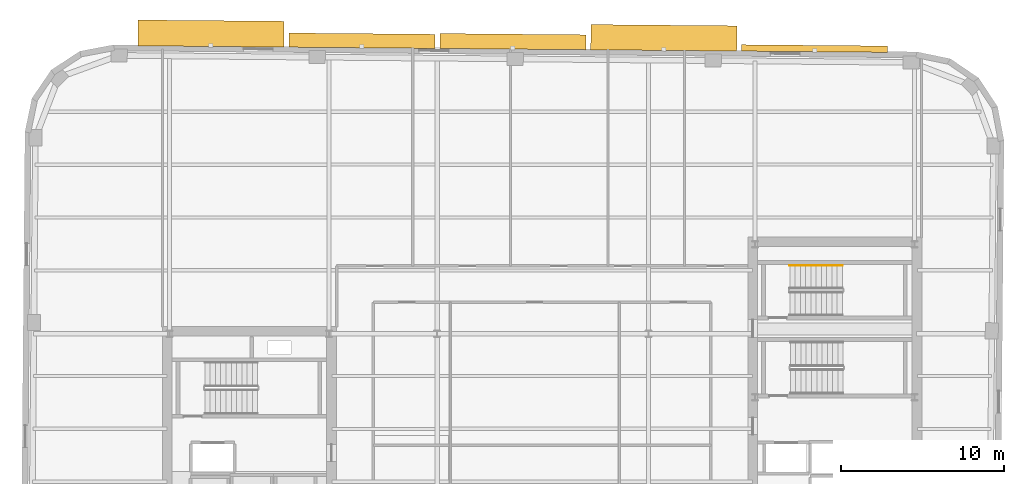
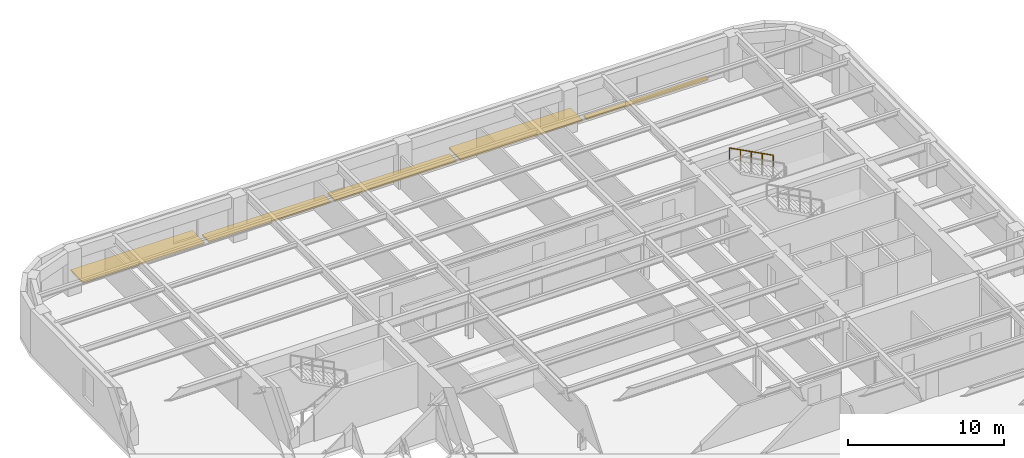
# One storey, part 11 of 11: 5 shading devices, 1 railing.
"""IFC4 building model written with IfcOpenShell, lengths in metres."""

from ifc_helpers import new_model, si_unit, direction, frame, origin, origin_2d, place, context, subcontext, project, spatial, rectangle, circle, extrude, material, type_object, element, save


model = new_model("IFC4")

# Units and contexts
model_context = context("Model", 3, precision=1e-05, world=origin(), true_north=direction((0.0, 1.0)))
body_context = subcontext(model_context, "Body", "Model", "MODEL_VIEW")
ifc_project = project(units=[si_unit("LENGTHUNIT", "METRE"), si_unit("AREAUNIT", "SQUARE_METRE"), si_unit("VOLUMEUNIT", "CUBIC_METRE"), si_unit("PLANEANGLEUNIT", "RADIAN"), si_unit("MASSUNIT", "GRAM", prefix="KILO")], contexts=[model_context])

# Site, building, storey
site_placement = place(None, origin())
site = spatial("IfcSite", under=ifc_project, at=site_placement, CompositionType="ELEMENT")
building_placement = place(site_placement, origin())
building = spatial("IfcBuilding", under=site, at=building_placement, Name="Kolvaren Arena Tower", CompositionType="ELEMENT")
storey_placement = place(building_placement, frame((0.0, 0.0, 169.699951171875)))
storey = spatial("IfcBuildingStorey", under=building, at=storey_placement, Name="L40", CompositionType="ELEMENT", Elevation=169.699951171875)

# Railing
ifc_material_1 = material(Name="Brushed stainless steel handrail", Category="steel")
railing_type = type_object("IfcRailingType", Name="HRAIL-900", PredefinedType="HANDRAIL", material=ifc_material_1)
railing_placement = place(storey_placement, frame((55.919921875, 38.050048828125, 2.04541015625)))
element("IfcRailing", 1, at=railing_placement, inside=storey, type_object=railing_type, Name="L40 ST-E2 stair handrail 2", PredefinedType="HANDRAIL", context=body_context, shape_type="SweptSolid", body=[
    extrude(circle(Radius=0.02392578125, at=origin_2d()), frame((0.0, 0.0, 0.8759765625), z_axis=(-0.884993431791, 0.0, 0.465603506952), x_axis=(0.0, -1.0, 0.0)), (0.0, 0.0, 1.0), 3.6611328125),
    extrude(circle(Radius=0.02099609375, at=origin_2d()), origin(), (0.0, 0.0, 1.0), 0.851806640625),
    extrude(circle(Radius=0.02099609375, at=origin_2d()), frame((-0.81005859375, 0.0, 0.42626953125)), (0.0, 0.0, 1.0), 0.851806640625),
    extrude(circle(Radius=0.02099609375, at=origin_2d()), frame((-1.6201171875, 0.0, 0.852294921875)), (0.0, 0.0, 1.0), 0.851806640625),
    extrude(circle(Radius=0.02099609375, at=origin_2d()), frame((-2.429931640625, 0.0, 1.2783203125)), (0.0, 0.0, 1.0), 0.851806640625),
    extrude(circle(Radius=0.02099609375, at=origin_2d()), frame((-3.239990234375, 0.0, 1.70458984375)), (0.0, 0.0, 1.0), 0.851806640625),
])

# Shading devices
ifc_material_2 = material(Name="Architectural precast GFRC and anodised aluminium sunshade", Category="concrete")
shading_device_type_1 = type_object("IfcShadingDeviceType", Name="SHAD-SINE-A", PredefinedType="USERDEFINED", material=ifc_material_2)
shading_device_1_placement = place(storey_placement, frame((26.372802734375, 51.866455078125, -0.139892578125), z_axis=(0.0, 0.0, 1.0), x_axis=(0.999961923064, -0.008726535498, 0.0)))
element("IfcShadingDevice", 2, at=shading_device_1_placement, inside=storey, type_object=shading_device_type_1, Name="Sinusoidal Slab-Edge Sunshade Louvre (L40)", ObjectType="LOUVRE", PredefinedType="USERDEFINED", context=body_context, shape_type="SweptSolid", body=[
    extrude(rectangle(XDim=8.97998046875, YDim=0.8701171875, at=origin_2d()), origin(), (0.0, 0.0, 1.0), 0.1201171875),
])
shading_device_2_placement = place(storey_placement, frame((35.652587890625, 51.810302734375, -0.139892578125), z_axis=(0.0, 0.0, 1.0), x_axis=(0.999961923064, -0.008726535498, 0.0)))
element("IfcShadingDevice", 3, at=shading_device_2_placement, inside=storey, type_object=shading_device_type_1, Name="Sinusoidal Slab-Edge Sunshade Louvre (L40)", ObjectType="LOUVRE", PredefinedType="USERDEFINED", context=body_context, shape_type="SweptSolid", body=[
    extrude(rectangle(XDim=8.97998046875, YDim=0.919677734375, at=origin_2d()), origin(), (0.0, 0.0, 1.0), 0.1201171875),
])
shading_device_3_placement = place(storey_placement, frame((54.20947265625, 51.385498046875, -0.139892578125), z_axis=(0.0, 0.0, 1.0), x_axis=(0.999961923064, -0.008726535498, 0.0)))
element("IfcShadingDevice", 4, at=shading_device_3_placement, inside=storey, type_object=shading_device_type_1, Name="Sinusoidal Slab-Edge Sunshade Louvre (L40)", ObjectType="LOUVRE", PredefinedType="USERDEFINED", context=body_context, shape_type="SweptSolid", body=[
    extrude(rectangle(XDim=8.97998046875, YDim=0.393798828125, at=origin_2d()), origin(), (0.0, 0.0, 1.0), 0.1201171875),
])
shading_device_type_2 = type_object("IfcShadingDeviceType", Name="SHAD-SINE-B", PredefinedType="JALOUSIE", material=ifc_material_2)
shading_device_4_placement = place(storey_placement, frame((17.09619140625, 52.30712890625, -0.139892578125), z_axis=(0.0, 0.0, 1.0), x_axis=(0.999961923064, -0.008726535498, 0.0)))
element("IfcShadingDevice", 5, at=shading_device_4_placement, inside=storey, type_object=shading_device_type_2, Name="Sinusoidal Slab-Edge Sunshade Louvre (L40)", PredefinedType="JALOUSIE", context=body_context, shape_type="SweptSolid", body=[
    extrude(rectangle(XDim=8.97998046875, YDim=1.589599609375, at=origin_2d()), origin(), (0.0, 0.0, 1.0), 0.1201171875),
])
shading_device_5_placement = place(storey_placement, frame((44.934814453125, 52.045654296875, -0.139892578125), z_axis=(0.0, 0.0, 1.0), x_axis=(0.999961923064, -0.008726535498, 0.0)))
element("IfcShadingDevice", 6, at=shading_device_5_placement, inside=storey, type_object=shading_device_type_2, Name="Sinusoidal Slab-Edge Sunshade Louvre (L40)", PredefinedType="JALOUSIE", context=body_context, shape_type="SweptSolid", body=[
    extrude(rectangle(XDim=8.97998046875, YDim=1.55224609375, at=origin_2d()), origin(), (0.0, 0.0, 1.0), 0.1201171875),
])

save(model, "model.ifc")
